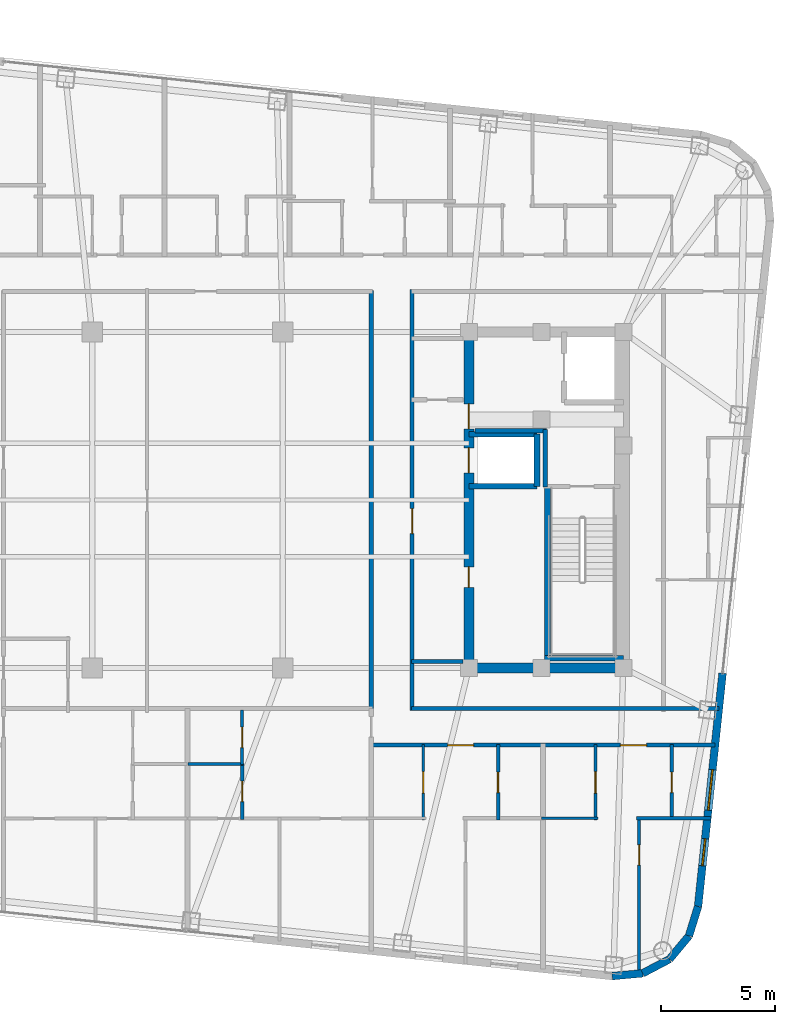
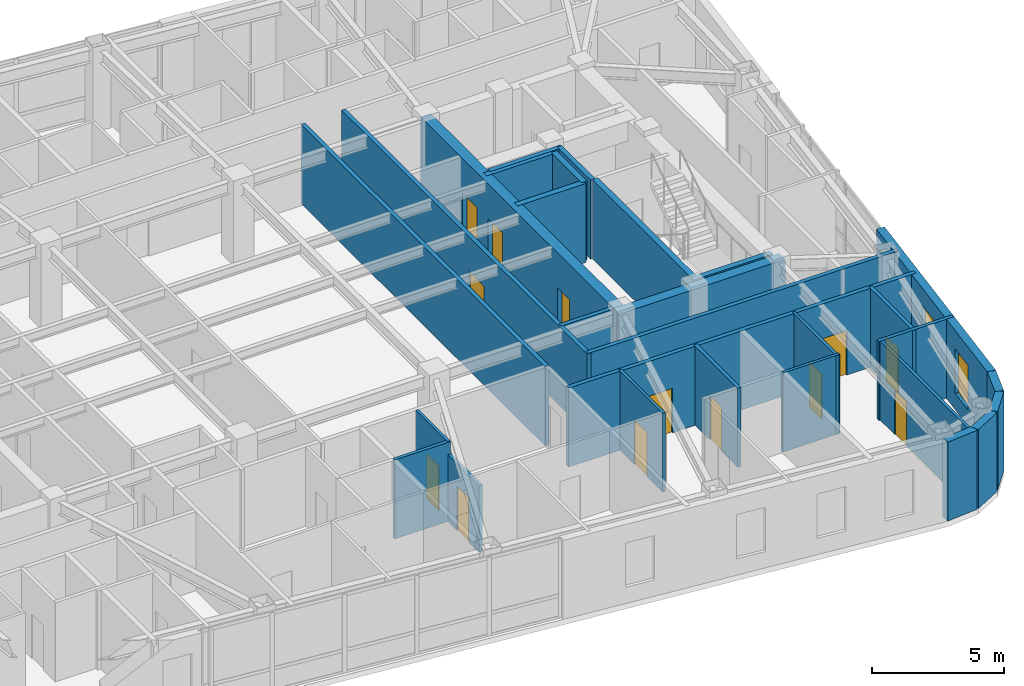
# One storey, part 18 of 23: 29 walls, 13 doors, 2 windows, 15 openings.
"""IFC4 building model written with IfcOpenShell, lengths in metres."""

from ifc_helpers import new_model, si_unit, direction, frame, frame_2d, origin, place, context, subcontext, project, spatial, rectangle, extrude, material, layer, layer_set, type_object, element, fill, save


model = new_model("IFC4")

# Units and contexts
model_context = context("Model", 3, precision=1e-05, world=origin(), true_north=direction((0.0, 1.0)))
body_context = subcontext(model_context, "Body", "Model", "MODEL_VIEW")
ifc_project = project(units=[si_unit("LENGTHUNIT", "METRE"), si_unit("AREAUNIT", "SQUARE_METRE"), si_unit("VOLUMEUNIT", "CUBIC_METRE"), si_unit("PLANEANGLEUNIT", "RADIAN"), si_unit("MASSUNIT", "GRAM", prefix="KILO")], contexts=[model_context])

# Site, building, storey
site_placement = place(None, origin())
site = spatial("IfcSite", under=ifc_project, at=site_placement, CompositionType="ELEMENT")
building_placement = place(site_placement, origin())
building = spatial("IfcBuilding", under=site, at=building_placement, Name="Voryun Gate Residences", CompositionType="ELEMENT")
storey_placement = place(building_placement, frame((0.0, 0.0, 275.60009765625)))
storey = spatial("IfcBuildingStorey", under=building, at=storey_placement, Name="L68", CompositionType="ELEMENT", Elevation=275.60009765625)

# Wall
ifc_material_1 = material(Name="Concrete C50/60", Category="concrete")
ifc_layer_1 = layer(ifc_material_1, 0.449951171875, Name="CW_CORE_450")
ifc_layer_set_1 = layer_set([ifc_layer_1], Name="Concrete C50/60")
wall_type_1 = type_object("IfcWallType", Name="CW_CORE_450", PredefinedType="SHEAR", material=ifc_layer_set_1)
wall_1_placement = place(storey_placement, frame((12.175048828125, -7.39990234375, 0.0), z_axis=(0.0, 0.0, 1.0), x_axis=(1.0, 0.0, 0.0)))
element("IfcWall", 1, at=wall_1_placement, inside=storey, type_object=wall_type_1, Name="L68 Core shear wall CW-L68-ES", PredefinedType="SHEAR", context=body_context, shape_type="SweptSolid", body=[
    extrude(rectangle(XDim=7.25, YDim=0.449951171875, at=frame_2d((3.625, 0.0))), origin(), (0.0, 0.0, 1.0), 3.64990234375),
])

# Wall, openings, doors
wall_2_placement = place(storey_placement, frame((12.39990234375, -7.39990234375, 0.0), z_axis=(0.0, 0.0, 1.0), x_axis=(0.0, 1.0, 0.0)))
wall_2 = element("IfcWall", 2, at=wall_2_placement, inside=storey, type_object=wall_type_1, Name="L68 Core shear wall CW-L68-EW", PredefinedType="SHEAR", context=body_context, shape_type="SweptSolid", body=[
    extrude(rectangle(XDim=14.7998046875, YDim=0.449951171875, at=frame_2d((7.39990234375, 0.0))), origin(), (0.0, 0.0, 1.0), 3.64990234375),
])
opening_1_placement = place(wall_2_placement, frame((8.60009765625, 0.0, 0.0)))
opening_1 = element("IfcOpeningElement", 3, at=opening_1_placement, cuts=wall_2, Name="Opening LD2", PredefinedType="OPENING", context=body_context, shape_type="SweptSolid", body=[
    extrude(rectangle(XDim=1.10009765625, YDim=2.050048828125, at=frame_2d((0.550048828125, 1.02490234375))), frame((0.0, 0.235107421875, 0.0), z_axis=(0.0, -1.0, 0.0), x_axis=(1.0, 0.0, 0.0)), (0.0, 0.0, 1.0), 0.469970703125),
])
opening_2_placement = place(wall_2_placement, frame((10.530029296875, 0.0, 0.0)))
opening_2 = element("IfcOpeningElement", 4, at=opening_2_placement, cuts=wall_2, Name="Opening D-FD60-2", PredefinedType="OPENING", context=body_context, shape_type="SweptSolid", body=[
    extrude(rectangle(XDim=1.10009765625, YDim=2.050048828125, at=frame_2d((0.550048828125, 1.02490234375))), frame((0.0, 0.235107421875, 0.0), z_axis=(0.0, -1.0, 0.0), x_axis=(1.0, 0.0, 0.0)), (0.0, 0.0, 1.0), 0.469970703125),
])
opening_3_placement = place(wall_2_placement, frame((3.550048828125, 0.0, 0.0)))
opening_3 = element("IfcOpeningElement", 5, at=opening_3_placement, cuts=wall_2, Name="Opening D-FD60-4", PredefinedType="OPENING", context=body_context, shape_type="SweptSolid", body=[
    extrude(rectangle(XDim=0.89990234375, YDim=2.050048828125, at=frame_2d((0.449951171875, 1.02490234375))), frame((0.0, 0.235107421875, 0.0), z_axis=(0.0, -1.0, 0.0), x_axis=(1.0, 0.0, 0.0)), (0.0, 0.0, 1.0), 0.469970703125),
])
ifc_material_2 = material(Name="Painted steel fire door", Category="steel")
door_type_1 = type_object("IfcDoorType", Name="DR_FD60_FFLOB_1100", OperationType="NOTDEFINED", PredefinedType="DOOR", material=ifc_material_2)
door_1_placement = place(opening_2_placement, origin())
door_1 = element("IfcDoor", 6, at=door_1_placement, inside=storey, type_object=door_type_1, Name="Door DR-L68-CLOB-E", OperationType="SINGLE_SWING_RIGHT", OverallHeight=2.050048828125, OverallWidth=1.10009765625, PredefinedType="DOOR", context=body_context, shape_type="SweptSolid", body=[
    extrude(rectangle(XDim=1.10009765625, YDim=2.050048828125, at=frame_2d((0.550048828125, 1.02490234375))), frame((0.0, 0.02490234375, 0.0), z_axis=(0.0, -1.0, 0.0), x_axis=(1.0, 0.0, 0.0)), (0.0, 0.0, 1.0), 0.050048828125),
])
fill(opening_2, door_1)
ifc_material_3 = material(Name="Painted steel fire door", Category="steel")
door_type_2 = type_object("IfcDoorType", Name="DR_FD60_RISER_900", OperationType="NOTDEFINED", PredefinedType="DOOR", material=ifc_material_3)
door_2_placement = place(opening_3_placement, origin())
door_2 = element("IfcDoor", 7, at=door_2_placement, inside=storey, type_object=door_type_2, Name="Door DR-L68-RECE-HI", OperationType="SINGLE_SWING_RIGHT", OverallHeight=2.050048828125, OverallWidth=0.89990234375, PredefinedType="DOOR", context=body_context, shape_type="SweptSolid", body=[
    extrude(rectangle(XDim=0.89990234375, YDim=2.050048828125, at=frame_2d((0.449951171875, 1.02490234375))), frame((0.0, 0.02490234375, 0.0), z_axis=(0.0, -1.0, 0.0), x_axis=(1.0, 0.0, 0.0)), (0.0, 0.0, 1.0), 0.050048828125),
])
fill(opening_3, door_2)
ifc_material_4 = material(Name="Anodised aluminium", Category="aluminium")
door_type_3 = type_object("IfcDoorType", Name="DR_LD_PASS_1100", OperationType="NOTDEFINED", PredefinedType="DOOR", material=ifc_material_4)
door_3_placement = place(opening_1_placement, origin())
door_3 = element("IfcDoor", 8, at=door_3_placement, inside=storey, type_object=door_type_3, Name="Lift EL-P8 sliding landing door L68", OperationType="SLIDING_TO_LEFT", OverallHeight=2.050048828125, OverallWidth=1.10009765625, PredefinedType="DOOR", context=body_context, shape_type="SweptSolid", body=[
    extrude(rectangle(XDim=1.10009765625, YDim=2.050048828125, at=frame_2d((0.550048828125, 1.02490234375))), frame((0.0, 0.02490234375, 0.0), z_axis=(0.0, -1.0, 0.0), x_axis=(1.0, 0.0, 0.0)), (0.0, 0.0, 1.0), 0.050048828125),
])
fill(opening_1, door_3)

# Wall
ifc_material_5 = material(Name="Gypsum acoustic fireboard")
ifc_layer_2 = layer(ifc_material_5, 0.179931640625, Name="W_CORR_RATED_180")
ifc_layer_set_2 = layer_set([ifc_layer_2], Name="Gypsum acoustic fireboard")
wall_type_2 = type_object("IfcWallType", Name="W_CORR_RATED_180", PredefinedType="PARTITIONING", material=ifc_layer_set_2)
wall_3_placement = place(storey_placement, frame((9.8798828125, -7.1201171875, 0.0), z_axis=(0.0, 0.0, 1.0), x_axis=(1.0, 0.0, 0.0)))
element("IfcWall", 9, at=wall_3_placement, inside=storey, type_object=wall_type_2, Name="Partition wall WP-L68-PLBS-E", PredefinedType="PARTITIONING", context=body_context, shape_type="SweptSolid", body=[
    extrude(rectangle(XDim=2.27001953125, YDim=0.179931640625, at=frame_2d((1.135009765625, 0.0))), origin(), (0.0, 0.0, 1.0), 3.64990234375),
])

# Wall, opening, door
wall_4_placement = place(storey_placement, frame((9.89990234375, -9.280029296875, 0.0), z_axis=(0.0, 0.0, 1.0), x_axis=(0.0, 1.0, 0.0)))
wall_4 = element("IfcWall", 10, at=wall_4_placement, inside=storey, type_object=wall_type_2, Name="Partition wall WP-L68-PLBE-FULL", PredefinedType="PARTITIONING", context=body_context, shape_type="SweptSolid", body=[
    extrude(rectangle(XDim=18.56005859375, YDim=0.179931640625, at=frame_2d((9.280029296875, 0.0))), origin(), (0.0, 0.0, 1.0), 3.64990234375),
])
opening_4_placement = place(wall_4_placement, frame((7.802001953125, 0.0, 0.0)))
opening_4 = element("IfcOpeningElement", 11, at=opening_4_placement, cuts=wall_4, Name="Opening D-FD60-2", PredefinedType="OPENING", context=body_context, shape_type="SweptSolid", body=[
    extrude(rectangle(XDim=1.10009765625, YDim=2.050048828125, at=frame_2d((0.550048828125, 1.02490234375))), frame((0.0, 0.099853515625, 0.0), z_axis=(0.0, -1.0, 0.0), x_axis=(1.0, 0.0, 0.0)), (0.0, 0.0, 1.0), 0.199951171875),
])
door_4_placement = place(opening_4_placement, origin())
door_4 = element("IfcDoor", 12, at=door_4_placement, inside=storey, type_object=door_type_1, Name="Door DR-L68-PLBE-COR", OperationType="SINGLE_SWING_RIGHT", OverallHeight=2.050048828125, OverallWidth=1.10009765625, PredefinedType="DOOR", context=body_context, shape_type="SweptSolid", body=[
    extrude(rectangle(XDim=1.10009765625, YDim=2.050048828125, at=frame_2d((0.550048828125, 1.02490234375))), frame((0.0, 0.02490234375, 0.0), z_axis=(0.0, -1.0, 0.0), x_axis=(1.0, 0.0, 0.0)), (0.0, 0.0, 1.0), 0.050048828125),
])
fill(opening_4, door_4)

# Walls
wall_5_placement = place(storey_placement, frame((9.8798828125, -9.18994140625, 0.0), z_axis=(0.0, 0.0, 1.0), x_axis=(1.0, 0.0, 0.0)))
element("IfcWall", 13, at=wall_5_placement, inside=storey, type_object=wall_type_2, Name="Partition wall WP-L68-CWING-ES", PredefinedType="PARTITIONING", context=body_context, shape_type="SweptSolid", body=[
    extrude(rectangle(XDim=13.531982421875, YDim=0.179931640625, at=frame_2d((6.76611328125, 0.0))), origin(), (0.0, 0.0, 1.0), 3.64990234375),
])
wall_6_placement = place(storey_placement, frame((8.10009765625, -9.22998046875, 0.0), z_axis=(0.0, 0.0, 1.0), x_axis=(0.0, 1.0, 0.0)))
element("IfcWall", 14, at=wall_6_placement, inside=storey, type_object=wall_type_2, Name="Partition wall WP-L68-Z3E", PredefinedType="PARTITIONING", context=body_context, shape_type="SweptSolid", body=[
    extrude(rectangle(XDim=18.4599609375, YDim=0.179931640625, at=frame_2d((9.22998046875, 0.0))), origin(), (0.0, 0.0, 1.0), 3.64990234375),
])

# Wall, openings, doors
wall_7_placement = place(storey_placement, frame((8.080078125, -10.800048828125, 0.0), z_axis=(0.0, 0.0, 1.0), x_axis=(1.0, 0.0, 0.0)))
wall_7 = element("IfcWall", 15, at=wall_7_placement, inside=storey, type_object=wall_type_2, Name="Partition wall WP-L68-SCORR-E", PredefinedType="PARTITIONING", context=body_context, shape_type="SweptSolid", body=[
    extrude(rectangle(XDim=15.16259765625, YDim=0.179931640625, at=frame_2d((7.581298828125, 0.0))), origin(), (0.0, 0.0, 1.0), 3.64990234375),
])
opening_5_placement = place(wall_7_placement, frame((3.382568359375, 0.0, 0.0)))
opening_5 = element("IfcOpeningElement", 16, at=opening_5_placement, cuts=wall_7, Name="Opening D-UNIT-1", PredefinedType="OPENING", context=body_context, shape_type="SweptSolid", body=[
    extrude(rectangle(XDim=1.14990234375, YDim=2.050048828125, at=frame_2d((0.574951171875, 1.02490234375))), frame((0.0, 0.099853515625, 0.0), z_axis=(0.0, -1.0, 0.0), x_axis=(1.0, 0.0, 0.0)), (0.0, 0.0, 1.0), 0.199951171875),
])
opening_6_placement = place(wall_7_placement, frame((10.99560546875, 0.0, 0.0)))
opening_6 = element("IfcOpeningElement", 17, at=opening_6_placement, cuts=wall_7, Name="Opening D-UNIT-1", PredefinedType="OPENING", context=body_context, shape_type="SweptSolid", body=[
    extrude(rectangle(XDim=1.14990234375, YDim=2.050048828125, at=frame_2d((0.574951171875, 1.02490234375))), frame((0.0, 0.099853515625, 0.0), z_axis=(0.0, -1.0, 0.0), x_axis=(1.0, 0.0, 0.0)), (0.0, 0.0, 1.0), 0.199951171875),
])
ifc_material_6 = material(Name="Armoured timber-clad fire door", Category="wood")
door_type_4 = type_object("IfcDoorType", Name="DR_UNIT_ENTRY_1150", OperationType="NOTDEFINED", PredefinedType="DOOR", material=ifc_material_6)
door_5_placement = place(opening_5_placement, origin())
door_5 = element("IfcDoor", 18, at=door_5_placement, inside=storey, type_object=door_type_4, Name="Door DR-L68-SENT-6", OperationType="SINGLE_SWING_LEFT", OverallHeight=2.050048828125, OverallWidth=1.14990234375, PredefinedType="DOOR", context=body_context, shape_type="SweptSolid", body=[
    extrude(rectangle(XDim=1.14990234375, YDim=2.050048828125, at=frame_2d((0.574951171875, 1.02490234375))), frame((0.0, 0.02490234375, 0.0), z_axis=(0.0, -1.0, 0.0), x_axis=(1.0, 0.0, 0.0)), (0.0, 0.0, 1.0), 0.050048828125),
])
fill(opening_5, door_5)
door_6_placement = place(opening_6_placement, origin())
door_6 = element("IfcDoor", 19, at=door_6_placement, inside=storey, type_object=door_type_4, Name="Door DR-L68-SENT-7", OperationType="SINGLE_SWING_RIGHT", OverallHeight=2.050048828125, OverallWidth=1.14990234375, PredefinedType="DOOR", context=body_context, shape_type="SweptSolid", body=[
    extrude(rectangle(XDim=1.14990234375, YDim=2.050048828125, at=frame_2d((0.574951171875, 1.02490234375))), frame((0.0, 0.02490234375, 0.0), z_axis=(0.0, -1.0, 0.0), x_axis=(1.0, 0.0, 0.0)), (0.0, 0.0, 1.0), 0.050048828125),
])
fill(opening_6, door_6)

# Wall, openings, windows
ifc_material_7 = material(Name="Charcoal terracotta masonry", Category="masonry")
ifc_layer_3 = layer(ifc_material_7, 0.340087890625, Name="W_EXT_TERRACOTTA_340")
ifc_layer_set_3 = layer_set([ifc_layer_3], Name="Charcoal terracotta masonry")
wall_type_3 = type_object("IfcWallType", Name="W_EXT_TERRACOTTA_340", PredefinedType="ELEMENTEDWALL", material=ifc_layer_set_3)
wall_8_placement = place(storey_placement, frame((23.5751953125, -7.636474609375, 0.0), z_axis=(0.0, 0.0, 1.0), x_axis=(-0.104540767082, -0.994520602108, 0.0)))
wall_8 = element("IfcWall", 20, at=wall_8_placement, inside=storey, type_object=wall_type_3, Name="Exterior wall WEXT-L68-16B", PredefinedType="ELEMENTEDWALL", context=body_context, shape_type="SweptSolid", body=[
    extrude(rectangle(XDim=10.32470703125, YDim=0.340087890625, at=frame_2d((5.162353515625, 0.0))), origin(), (0.0, 0.0, 1.0), 3.64990234375),
])
opening_7_placement = place(wall_8_placement, frame((4.26220703125, 0.0, 0.75)))
opening_7 = element("IfcOpeningElement", 21, at=opening_7_placement, cuts=wall_8, Name="Opening WN1", PredefinedType="OPENING", context=body_context, shape_type="SweptSolid", body=[
    extrude(rectangle(XDim=1.800048828125, YDim=2.10009765625, at=frame_2d((0.89990234375, 1.050048828125))), frame((0.0, 0.179931640625, 0.0), z_axis=(0.0, -1.0, 0.0), x_axis=(1.0, 0.0, 0.0)), (0.0, 0.0, 1.0), 0.360107421875),
])
opening_8_placement = place(wall_8_placement, frame((7.326416015625, 0.0, 0.75)))
opening_8 = element("IfcOpeningElement", 22, at=opening_8_placement, cuts=wall_8, Name="Opening WN6", PredefinedType="OPENING", context=body_context, shape_type="SweptSolid", body=[
    extrude(rectangle(XDim=1.199951171875, YDim=2.050048828125, at=frame_2d((0.60009765625, 1.02490234375))), frame((0.0, 0.179931640625, 0.0), z_axis=(0.0, -1.0, 0.0), x_axis=(1.0, 0.0, 0.0)), (0.0, 0.0, 1.0), 0.360107421875),
])
ifc_material_8 = material(Name="Laminated low-E glass", Category="glass")
window_type_1 = type_object("IfcWindowType", Name="WN_POD_SLOT_1200", PartitioningType="SINGLE_PANEL", PredefinedType="WINDOW", material=ifc_material_8)
window_1_placement = place(opening_8_placement, origin())
window_1 = element("IfcWindow", 23, at=window_1_placement, inside=storey, type_object=window_type_1, Name="Window WN-L68-DWFIX-17", OverallHeight=2.050048828125, OverallWidth=1.199951171875, PartitioningType="SINGLE_PANEL", PredefinedType="WINDOW", context=body_context, shape_type="SweptSolid", body=[
    extrude(rectangle(XDim=1.199951171875, YDim=2.050048828125, at=frame_2d((0.60009765625, 1.02490234375))), frame((0.0, 0.030029296875, 0.0), z_axis=(0.0, -1.0, 0.0), x_axis=(1.0, 0.0, 0.0)), (0.0, 0.0, 1.0), 0.06005859375),
])
fill(opening_8, window_1)
ifc_material_9 = material(Name="Laminated low-E glass", Category="glass")
window_type_2 = type_object("IfcWindowType", Name="WN_RES_PUNCH_1800", PartitioningType="SINGLE_PANEL", PredefinedType="WINDOW", material=ifc_material_9)
window_2_placement = place(opening_7_placement, origin())
window_2 = element("IfcWindow", 24, at=window_2_placement, inside=storey, type_object=window_type_2, Name="Window WN-WEXT-L68-16B-01", OverallHeight=2.10009765625, OverallWidth=1.800048828125, PartitioningType="SINGLE_PANEL", PredefinedType="WINDOW", context=body_context, shape_type="SweptSolid", body=[
    extrude(rectangle(XDim=1.800048828125, YDim=2.10009765625, at=frame_2d((0.89990234375, 1.050048828125))), frame((0.0, 0.030029296875, 0.0), z_axis=(0.0, -1.0, 0.0), x_axis=(1.0, 0.0, 0.0)), (0.0, 0.0, 1.0), 0.06005859375),
])
fill(opening_7, window_2)

# Walls
wall_9_placement = place(storey_placement, frame((22.495849609375, -17.904541015625, 0.0), z_axis=(0.0, 0.0, 1.0), x_axis=(-0.296416228123, -0.955058856671, 0.0)))
element("IfcWall", 25, at=wall_9_placement, inside=storey, type_object=wall_type_3, Name="Exterior wall WEXT-L68-17", PredefinedType="ELEMENTEDWALL", context=body_context, shape_type="SweptSolid", body=[
    extrude(rectangle(XDim=1.35400390625, YDim=0.340087890625, at=frame_2d((0.677001953125, 0.0))), origin(), (0.0, 0.0, 1.0), 3.64990234375),
])
wall_10_placement = place(storey_placement, frame((22.094482421875, -19.19775390625, 0.0), z_axis=(0.0, 0.0, 1.0), x_axis=(-0.639501603217, -0.768789762863, 0.0)))
element("IfcWall", 26, at=wall_10_placement, inside=storey, type_object=wall_type_3, Name="Exterior wall WEXT-L68-18", PredefinedType="ELEMENTEDWALL", context=body_context, shape_type="SweptSolid", body=[
    extrude(rectangle(XDim=1.3369140625, YDim=0.340087890625, at=frame_2d((0.66845703125, 0.0))), origin(), (0.0, 0.0, 1.0), 3.64990234375),
])
wall_11_placement = place(storey_placement, frame((21.239501953125, -20.2255859375, 0.0), z_axis=(0.0, 0.0, 1.0), x_axis=(-0.884922182678, -0.465738908193, 0.0)))
element("IfcWall", 27, at=wall_11_placement, inside=storey, type_object=wall_type_3, Name="Exterior wall WEXT-L68-19", PredefinedType="ELEMENTEDWALL", context=body_context, shape_type="SweptSolid", body=[
    extrude(rectangle(XDim=1.337158203125, YDim=0.340087890625, at=frame_2d((0.66845703125, 0.0))), origin(), (0.0, 0.0, 1.0), 3.64990234375),
])
wall_12_placement = place(storey_placement, frame((20.05615234375, -20.848388671875, 0.0), z_axis=(0.0, 0.0, 1.0), x_axis=(-0.995813013343, -0.091413579172, 0.0)))
element("IfcWall", 28, at=wall_12_placement, inside=storey, type_object=wall_type_3, Name="Exterior wall WEXT-L68-20", PredefinedType="ELEMENTEDWALL", context=body_context, shape_type="SweptSolid", body=[
    extrude(rectangle(XDim=1.35400390625, YDim=0.340087890625, at=frame_2d((0.677001953125, 0.0))), origin(), (0.0, 0.0, 1.0), 3.64990234375),
])
ifc_material_10 = material(Name="Concrete C40/50", Category="concrete")
ifc_layer_4 = layer(ifc_material_10, 0.199951171875, Name="W_FF_LOBBY_200")
ifc_layer_set_4 = layer_set([ifc_layer_4], Name="Concrete C40/50")
wall_type_4 = type_object("IfcWallType", Name="W_FF_LOBBY_200", PredefinedType="PARTITIONING", material=ifc_layer_set_4)
wall_13_placement = place(storey_placement, frame((15.760009765625, 0.580078125, 0.0), z_axis=(0.0, 0.0, 1.0), x_axis=(0.0, 1.0, 0.0)))
element("IfcWall", 29, at=wall_13_placement, inside=storey, type_object=wall_type_4, Name="Partition wall WP-L68-FFP0-E", PredefinedType="PARTITIONING", context=body_context, shape_type="SweptSolid", body=[
    extrude(rectangle(XDim=2.52001953125, YDim=0.199951171875, at=frame_2d((1.260009765625, 0.0))), origin(), (0.0, 0.0, 1.0), 3.64990234375),
])
wall_14_placement = place(storey_placement, frame((12.659912109375, 3.06005859375, 0.0), z_axis=(0.0, 0.0, 1.0), x_axis=(1.0, 0.0, 0.0)))
element("IfcWall", 30, at=wall_14_placement, inside=storey, type_object=wall_type_4, Name="Partition wall WP-L68-FFPS-E", PredefinedType="PARTITIONING", context=body_context, shape_type="SweptSolid", body=[
    extrude(rectangle(XDim=3.16015625, YDim=0.199951171875, at=frame_2d((1.580078125, 0.0))), origin(), (0.0, 0.0, 1.0), 3.64990234375),
])
ifc_material_11 = material(Name="Concrete C50/60", Category="concrete")
ifc_layer_5 = layer(ifc_material_11, 0.25, Name="W_SHAFT_RC250")
ifc_layer_set_5 = layer_set([ifc_layer_5], Name="Concrete C50/60")
wall_type_5 = type_object("IfcWallType", Name="W_SHAFT_RC250", PredefinedType="SOLIDWALL", material=ifc_layer_set_5)
wall_15_placement = place(storey_placement, frame((15.860107421875, -7.0849609375, 0.0), z_axis=(0.0, 0.0, 1.0), x_axis=(0.0, 1.0, 0.0)))
element("IfcWall", 31, at=wall_15_placement, inside=storey, type_object=wall_type_5, Name="L68 Stair shaft structural wall E-STL", PredefinedType="SOLIDWALL", context=body_context, shape_type="SweptSolid", body=[
    extrude(rectangle(XDim=7.68505859375, YDim=0.25, at=frame_2d((3.842529296875, 0.0))), origin(), (0.0, 0.0, 1.0), 3.64990234375),
])
wall_16_placement = place(storey_placement, frame((15.739990234375, -6.965087890625, 0.0), z_axis=(0.0, 0.0, 1.0), x_axis=(1.0, 0.0, 0.0)))
element("IfcWall", 32, at=wall_16_placement, inside=storey, type_object=wall_type_5, Name="L68 Stair shaft structural wall E-STS", PredefinedType="SOLIDWALL", context=body_context, shape_type="SweptSolid", body=[
    extrude(rectangle(XDim=3.4599609375, YDim=0.25, at=frame_2d((1.72998046875, 0.0))), origin(), (0.0, 0.0, 1.0), 3.64990234375),
])
wall_17_placement = place(storey_placement, frame((12.39990234375, 0.60009765625, 0.0), z_axis=(0.0, 0.0, 1.0), x_axis=(1.0, 0.0, 0.0)))
element("IfcWall", 33, at=wall_17_placement, inside=storey, type_object=wall_type_5, Name="Lift shaft wall WSH-L68-EL-P8-S", PredefinedType="SOLIDWALL", context=body_context, shape_type="SweptSolid", body=[
    extrude(rectangle(XDim=3.0, YDim=0.25, at=frame_2d((1.5, 0.0))), origin(), (0.0, 0.0, 1.0), 3.64990234375),
])
wall_18_placement = place(storey_placement, frame((15.39990234375, 0.60009765625, 0.0), z_axis=(0.0, 0.0, 1.0), x_axis=(0.0, 1.0, 0.0)))
element("IfcWall", 34, at=wall_18_placement, inside=storey, type_object=wall_type_5, Name="Lift shaft wall WSH-L68-EL-P8-E", PredefinedType="SOLIDWALL", context=body_context, shape_type="SweptSolid", body=[
    extrude(rectangle(XDim=2.2998046875, YDim=0.25, at=frame_2d((1.14990234375, 0.0))), origin(), (0.0, 0.0, 1.0), 3.64990234375),
])
wall_19_placement = place(storey_placement, frame((15.39990234375, 2.89990234375, 0.0), z_axis=(0.0, 0.0, 1.0), x_axis=(-1.0, 0.0, 0.0)))
element("IfcWall", 35, at=wall_19_placement, inside=storey, type_object=wall_type_5, Name="Lift shaft wall WSH-L68-EL-P8-N", PredefinedType="SOLIDWALL", context=body_context, shape_type="SweptSolid", body=[
    extrude(rectangle(XDim=3.0, YDim=0.25, at=frame_2d((1.5, 0.0))), origin(), (0.0, 0.0, 1.0), 3.64990234375),
])

# Wall, opening, door
ifc_material_12 = material(Name="Gypsum acoustic partition")
ifc_layer_6 = layer(ifc_material_12, 0.125, Name="W_UNIT_PART_125")
ifc_layer_set_6 = layer_set([ifc_layer_6], Name="Gypsum acoustic partition")
wall_type_6 = type_object("IfcWallType", Name="W_UNIT_PART_125", PredefinedType="PARTITIONING", material=ifc_layer_set_6)
wall_20_placement = place(storey_placement, frame((10.389892578125, -14.10009765625, 0.0), z_axis=(0.0, 0.0, 1.0), x_axis=(0.0, 1.0, 0.0)))
wall_20 = element("IfcWall", 36, at=wall_20_placement, inside=storey, type_object=wall_type_6, Name="Partition wall WP-L68-S6-IVK", PredefinedType="PARTITIONING", context=body_context, shape_type="SweptSolid", body=[
    extrude(rectangle(XDim=3.320068359375, YDim=0.125, at=frame_2d((1.66015625, 0.0))), origin(), (0.0, 0.0, 1.0), 3.64990234375),
])
opening_9_placement = place(wall_20_placement, frame((1.18505859375, 0.0, 0.0)))
opening_9 = element("IfcOpeningElement", 37, at=opening_9_placement, cuts=wall_20, Name="Opening D-INT-1", PredefinedType="OPENING", context=body_context, shape_type="SweptSolid", body=[
    extrude(rectangle(XDim=0.949951171875, YDim=2.050048828125, at=frame_2d((0.47509765625, 1.02490234375))), frame((0.0, 0.072509765625, 0.0), z_axis=(0.0, -1.0, 0.0), x_axis=(1.0, 0.0, 0.0)), (0.0, 0.0, 1.0), 0.14501953125),
])
ifc_material_13 = material(Name="Architectural oak veneer")
door_type_5 = type_object("IfcDoorType", Name="DR_INT_ROOM_950", OperationType="NOTDEFINED", PredefinedType="DOOR", material=ifc_material_13)
door_7_placement = place(opening_9_placement, origin())
door_7 = element("IfcDoor", 38, at=door_7_placement, inside=storey, type_object=door_type_5, Name="Door DR-L68-S6-DK", OperationType="SINGLE_SWING_LEFT", OverallHeight=2.050048828125, OverallWidth=0.949951171875, PredefinedType="DOOR", context=body_context, shape_type="SweptSolid", body=[
    extrude(rectangle(XDim=0.949951171875, YDim=2.050048828125, at=frame_2d((0.47509765625, 1.02490234375))), frame((0.0, 0.02490234375, 0.0), z_axis=(0.0, -1.0, 0.0), x_axis=(1.0, 0.0, 0.0)), (0.0, 0.0, 1.0), 0.050048828125),
])
fill(opening_9, door_7)

wall_21_placement = place(storey_placement, frame((19.89697265625, -21.013427734375, 0.0), z_axis=(0.0, 0.0, 1.0), x_axis=(0.0, 1.0, 0.0)))
wall_21 = element("IfcWall", 39, at=wall_21_placement, inside=storey, type_object=wall_type_6, Name="Partition wall WP-L68-S7-OVR", PredefinedType="PARTITIONING", context=body_context, shape_type="SweptSolid", body=[
    extrude(rectangle(XDim=7.073486328125, YDim=0.125, at=frame_2d((3.53662109375, 0.0))), origin(), (0.0, 0.0, 1.0), 3.64990234375),
])
opening_10_placement = place(wall_21_placement, frame((4.92578125, 0.0, 0.0)))
opening_10 = element("IfcOpeningElement", 40, at=opening_10_placement, cuts=wall_21, Name="Opening D-INT-2", PredefinedType="OPENING", context=body_context, shape_type="SweptSolid", body=[
    extrude(rectangle(XDim=0.89990234375, YDim=2.050048828125, at=frame_2d((0.449951171875, 1.02490234375))), frame((0.0, 0.072509765625, 0.0), z_axis=(0.0, -1.0, 0.0), x_axis=(1.0, 0.0, 0.0)), (0.0, 0.0, 1.0), 0.14501953125),
])
ifc_material_14 = material(Name="Architectural oak veneer")
door_type_6 = type_object("IfcDoorType", Name="DR_INT_BATH_900", OperationType="NOTDEFINED", PredefinedType="DOOR", material=ifc_material_14)
door_8_placement = place(opening_10_placement, origin())
door_8 = element("IfcDoor", 41, at=door_8_placement, inside=storey, type_object=door_type_6, Name="Door DR-L68-S7-DMB", OperationType="SINGLE_SWING_RIGHT", OverallHeight=2.050048828125, OverallWidth=0.89990234375, PredefinedType="DOOR", context=body_context, shape_type="SweptSolid", body=[
    extrude(rectangle(XDim=0.89990234375, YDim=2.050048828125, at=frame_2d((0.449951171875, 1.02490234375))), frame((0.0, 0.02490234375, 0.0), z_axis=(0.0, -1.0, 0.0), x_axis=(1.0, 0.0, 0.0)), (0.0, 0.0, 1.0), 0.050048828125),
])
fill(opening_10, door_8)

wall_22_placement = place(storey_placement, frame((17.97412109375, -14.10009765625, 0.0), z_axis=(0.0, 0.0, 1.0), x_axis=(0.0, 1.0, 0.0)))
wall_22 = element("IfcWall", 42, at=wall_22_placement, inside=storey, type_object=wall_type_6, Name="Partition wall WP-L68-S7-IVK", PredefinedType="PARTITIONING", context=body_context, shape_type="SweptSolid", body=[
    extrude(rectangle(XDim=3.320068359375, YDim=0.125, at=frame_2d((1.66015625, 0.0))), origin(), (0.0, 0.0, 1.0), 3.64990234375),
])
opening_11_placement = place(wall_22_placement, frame((1.18505859375, 0.0, 0.0)))
opening_11 = element("IfcOpeningElement", 43, at=opening_11_placement, cuts=wall_22, Name="Opening D-INT-1", PredefinedType="OPENING", context=body_context, shape_type="SweptSolid", body=[
    extrude(rectangle(XDim=0.949951171875, YDim=2.050048828125, at=frame_2d((0.47509765625, 1.02490234375))), frame((0.0, 0.072509765625, 0.0), z_axis=(0.0, -1.0, 0.0), x_axis=(1.0, 0.0, 0.0)), (0.0, 0.0, 1.0), 0.14501953125),
])
door_9_placement = place(opening_11_placement, origin())
door_9 = element("IfcDoor", 44, at=door_9_placement, inside=storey, type_object=door_type_5, Name="Door DR-L68-S7-DK", OperationType="SINGLE_SWING_LEFT", OverallHeight=2.050048828125, OverallWidth=0.949951171875, PredefinedType="DOOR", context=body_context, shape_type="SweptSolid", body=[
    extrude(rectangle(XDim=0.949951171875, YDim=2.050048828125, at=frame_2d((0.47509765625, 1.02490234375))), frame((0.0, 0.02490234375, 0.0), z_axis=(0.0, -1.0, 0.0), x_axis=(1.0, 0.0, 0.0)), (0.0, 0.0, 1.0), 0.050048828125),
])
fill(opening_11, door_9)

# Wall
wall_23_placement = place(storey_placement, frame((15.589111328125, -14.02001953125, 0.0), z_axis=(0.0, 0.0, 1.0), x_axis=(1.0, 0.0, 0.0)))
element("IfcWall", 45, at=wall_23_placement, inside=storey, type_object=wall_type_6, Name="Partition wall WP-L68-S7-HZK", PredefinedType="PARTITIONING", context=body_context, shape_type="SweptSolid", body=[
    extrude(rectangle(XDim=2.5048828125, YDim=0.125, at=frame_2d((1.25244140625, 0.0))), origin(), (0.0, 0.0, 1.0), 3.64990234375),
])

# Wall, opening, door
wall_24_placement = place(storey_placement, frame((2.409912109375, -11.659912109375, 0.0), z_axis=(0.0, 0.0, 1.0), x_axis=(0.0, 1.0, 0.0)))
wall_24 = element("IfcWall", 46, at=wall_24_placement, inside=storey, type_object=wall_type_6, Name="Partition wall WP-L68-SC2-VK1", PredefinedType="PARTITIONING", context=body_context, shape_type="SweptSolid", body=[
    extrude(rectangle(XDim=2.409912109375, YDim=0.125, at=frame_2d((1.205078125, 0.0))), origin(), (0.0, 0.0, 1.0), 3.64990234375),
])
opening_12_placement = place(wall_24_placement, frame((0.7548828125, 0.0, 0.0)))
opening_12 = element("IfcOpeningElement", 47, at=opening_12_placement, cuts=wall_24, Name="Opening D-INT-2", PredefinedType="OPENING", context=body_context, shape_type="SweptSolid", body=[
    extrude(rectangle(XDim=0.89990234375, YDim=2.050048828125, at=frame_2d((0.449951171875, 1.02490234375))), frame((0.0, 0.072509765625, 0.0), z_axis=(0.0, -1.0, 0.0), x_axis=(1.0, 0.0, 0.0)), (0.0, 0.0, 1.0), 0.14501953125),
])
door_10_placement = place(opening_12_placement, origin())
door_10 = element("IfcDoor", 48, at=door_10_placement, inside=storey, type_object=door_type_6, Name="Door DR-L68-SC2-DK", OperationType="SINGLE_SWING_LEFT", OverallHeight=2.050048828125, OverallWidth=0.89990234375, PredefinedType="DOOR", context=body_context, shape_type="SweptSolid", body=[
    extrude(rectangle(XDim=0.89990234375, YDim=2.050048828125, at=frame_2d((0.449951171875, 1.02490234375))), frame((0.0, 0.02490234375, 0.0), z_axis=(0.0, -1.0, 0.0), x_axis=(1.0, 0.0, 0.0)), (0.0, 0.0, 1.0), 0.050048828125),
])
fill(opening_12, door_10)

ifc_material_15 = material(Name="Gypsum moisture-resistant partition")
ifc_layer_7 = layer(ifc_material_15, 0.14990234375, Name="W_WET_PLUMB_150")
ifc_layer_set_7 = layer_set([ifc_layer_7], Name="Gypsum moisture-resistant partition")
wall_type_7 = type_object("IfcWallType", Name="W_WET_PLUMB_150", PredefinedType="PLUMBINGWALL", material=ifc_layer_set_7)
wall_25_placement = place(storey_placement, frame((13.68408203125, -14.10009765625, 0.0), z_axis=(0.0, 0.0, 1.0), x_axis=(0.0, 1.0, 0.0)))
wall_25 = element("IfcWall", 49, at=wall_25_placement, inside=storey, type_object=wall_type_7, Name="Partition wall WP-L68-S6-IVB", PredefinedType="PLUMBINGWALL", context=body_context, shape_type="SweptSolid", body=[
    extrude(rectangle(XDim=3.320068359375, YDim=0.14990234375, at=frame_2d((1.66015625, 0.0))), origin(), (0.0, 0.0, 1.0), 3.64990234375),
])
opening_13_placement = place(wall_25_placement, frame((1.2099609375, 0.0, 0.0)))
opening_13 = element("IfcOpeningElement", 50, at=opening_13_placement, cuts=wall_25, Name="Opening D-INT-2", PredefinedType="OPENING", context=body_context, shape_type="SweptSolid", body=[
    extrude(rectangle(XDim=0.89990234375, YDim=2.050048828125, at=frame_2d((0.449951171875, 1.02490234375))), frame((0.0, 0.0849609375, 0.0), z_axis=(0.0, -1.0, 0.0), x_axis=(1.0, 0.0, 0.0)), (0.0, 0.0, 1.0), 0.169921875),
])
door_11_placement = place(opening_13_placement, origin())
door_11 = element("IfcDoor", 51, at=door_11_placement, inside=storey, type_object=door_type_6, Name="Door DR-L68-S6-DB", OperationType="SINGLE_SWING_RIGHT", OverallHeight=2.050048828125, OverallWidth=0.89990234375, PredefinedType="DOOR", context=body_context, shape_type="SweptSolid", body=[
    extrude(rectangle(XDim=0.89990234375, YDim=2.050048828125, at=frame_2d((0.449951171875, 1.02490234375))), frame((0.0, 0.02490234375, 0.0), z_axis=(0.0, -1.0, 0.0), x_axis=(1.0, 0.0, 0.0)), (0.0, 0.0, 1.0), 0.050048828125),
])
fill(opening_13, door_11)

# Wall
wall_26_placement = place(storey_placement, frame((19.777099609375, -14.02001953125, 0.0), z_axis=(0.0, 0.0, 1.0), x_axis=(1.0, 0.0, 0.0)))
element("IfcWall", 52, at=wall_26_placement, inside=storey, type_object=wall_type_7, Name="Partition wall WP-L68-S7-HZB", PredefinedType="PLUMBINGWALL", context=body_context, shape_type="SweptSolid", body=[
    extrude(rectangle(XDim=3.278076171875, YDim=0.14990234375, at=frame_2d((1.63916015625, 0.0))), origin(), (0.0, 0.0, 1.0), 3.64990234375),
])

# Wall, opening, door
wall_27_placement = place(storey_placement, frame((21.326904296875, -14.10009765625, 0.0), z_axis=(0.0, 0.0, 1.0), x_axis=(0.0, 1.0, 0.0)))
wall_27 = element("IfcWall", 53, at=wall_27_placement, inside=storey, type_object=wall_type_7, Name="Partition wall WP-L68-S7-IVB", PredefinedType="PLUMBINGWALL", context=body_context, shape_type="SweptSolid", body=[
    extrude(rectangle(XDim=3.320068359375, YDim=0.14990234375, at=frame_2d((1.66015625, 0.0))), origin(), (0.0, 0.0, 1.0), 3.64990234375),
])
opening_14_placement = place(wall_27_placement, frame((1.2099609375, 0.0, 0.0)))
opening_14 = element("IfcOpeningElement", 54, at=opening_14_placement, cuts=wall_27, Name="Opening D-INT-2", PredefinedType="OPENING", context=body_context, shape_type="SweptSolid", body=[
    extrude(rectangle(XDim=0.89990234375, YDim=2.050048828125, at=frame_2d((0.449951171875, 1.02490234375))), frame((0.0, 0.0849609375, 0.0), z_axis=(0.0, -1.0, 0.0), x_axis=(1.0, 0.0, 0.0)), (0.0, 0.0, 1.0), 0.169921875),
])
door_12_placement = place(opening_14_placement, origin())
door_12 = element("IfcDoor", 55, at=door_12_placement, inside=storey, type_object=door_type_6, Name="Door DR-L68-S7-DB", OperationType="SINGLE_SWING_RIGHT", OverallHeight=2.050048828125, OverallWidth=0.89990234375, PredefinedType="DOOR", context=body_context, shape_type="SweptSolid", body=[
    extrude(rectangle(XDim=0.89990234375, YDim=2.050048828125, at=frame_2d((0.449951171875, 1.02490234375))), frame((0.0, 0.02490234375, 0.0), z_axis=(0.0, -1.0, 0.0), x_axis=(1.0, 0.0, 0.0)), (0.0, 0.0, 1.0), 0.050048828125),
])
fill(opening_14, door_12)

wall_28_placement = place(storey_placement, frame((2.409912109375, -14.070068359375, 0.0), z_axis=(0.0, 0.0, 1.0), x_axis=(0.0, 1.0, 0.0)))
wall_28 = element("IfcWall", 56, at=wall_28_placement, inside=storey, type_object=wall_type_7, Name="Partition wall WP-L68-SC2-VK2", PredefinedType="PLUMBINGWALL", context=body_context, shape_type="SweptSolid", body=[
    extrude(rectangle(XDim=2.469970703125, YDim=0.14990234375, at=frame_2d((1.23486328125, 0.0))), origin(), (0.0, 0.0, 1.0), 3.08984375),
])
opening_15_placement = place(wall_28_placement, frame((0.784912109375, 0.0, 0.0)))
opening_15 = element("IfcOpeningElement", 57, at=opening_15_placement, cuts=wall_28, Name="Opening D-INT-2", PredefinedType="OPENING", context=body_context, shape_type="SweptSolid", body=[
    extrude(rectangle(XDim=0.89990234375, YDim=2.050048828125, at=frame_2d((0.449951171875, 1.02490234375))), frame((0.0, 0.0849609375, 0.0), z_axis=(0.0, -1.0, 0.0), x_axis=(1.0, 0.0, 0.0)), (0.0, 0.0, 1.0), 0.169921875),
])
door_13_placement = place(opening_15_placement, origin())
door_13 = element("IfcDoor", 58, at=door_13_placement, inside=storey, type_object=door_type_6, Name="Door DR-L68-SC2-DB", OperationType="SINGLE_SWING_RIGHT", OverallHeight=2.050048828125, OverallWidth=0.89990234375, PredefinedType="DOOR", context=body_context, shape_type="SweptSolid", body=[
    extrude(rectangle(XDim=0.89990234375, YDim=2.050048828125, at=frame_2d((0.449951171875, 1.02490234375))), frame((0.0, 0.02490234375, 0.0), z_axis=(0.0, -1.0, 0.0), x_axis=(1.0, 0.0, 0.0)), (0.0, 0.0, 1.0), 0.050048828125),
])
fill(opening_15, door_13)

# Wall
wall_29_placement = place(storey_placement, frame((0.02001953125, -11.6298828125, 0.0), z_axis=(0.0, 0.0, 1.0), x_axis=(1.0, 0.0, 0.0)))
element("IfcWall", 59, at=wall_29_placement, inside=storey, type_object=wall_type_7, Name="Partition wall WP-L68-SC2-HKB", PredefinedType="PLUMBINGWALL", context=body_context, shape_type="SweptSolid", body=[
    extrude(rectangle(XDim=2.429931640625, YDim=0.14990234375, at=frame_2d((1.21484375, 0.0))), origin(), (0.0, 0.0, 1.0), 3.64990234375),
])

save(model, "model.ifc")
